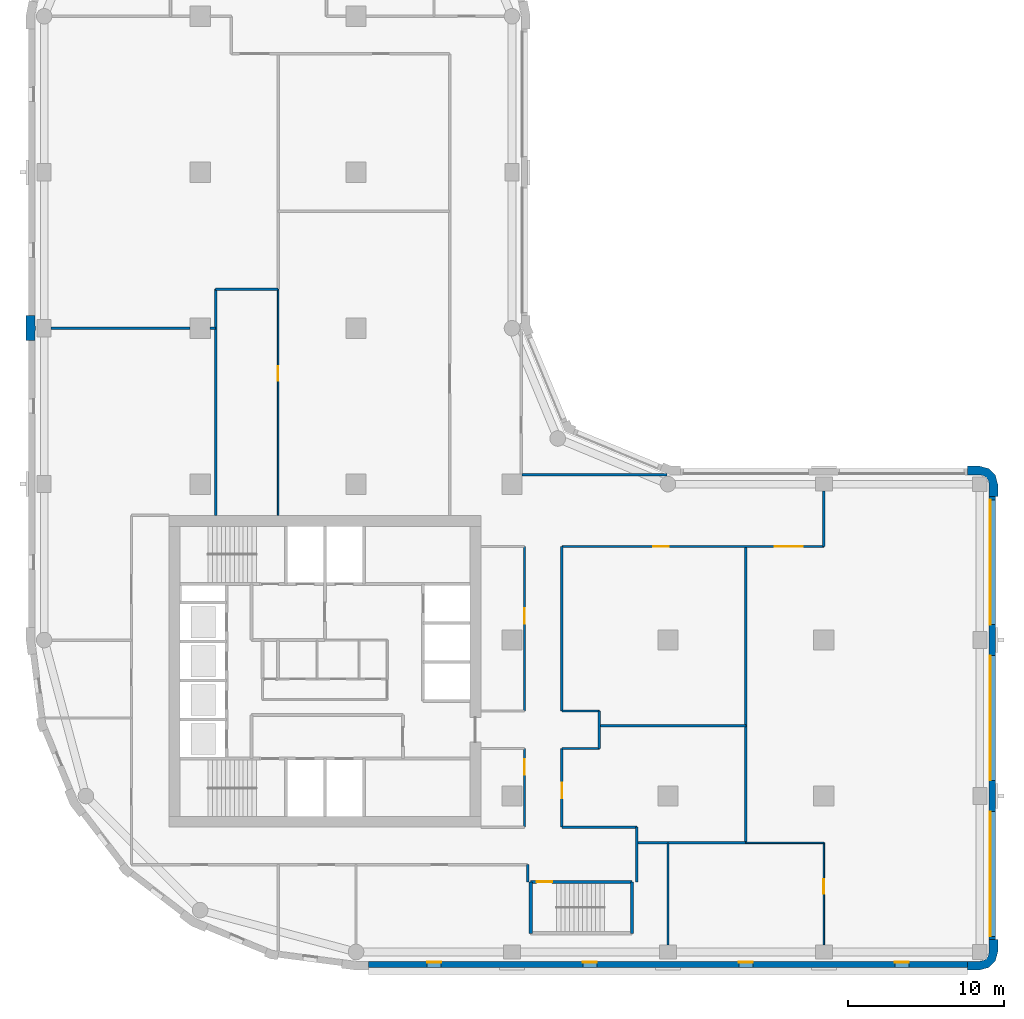
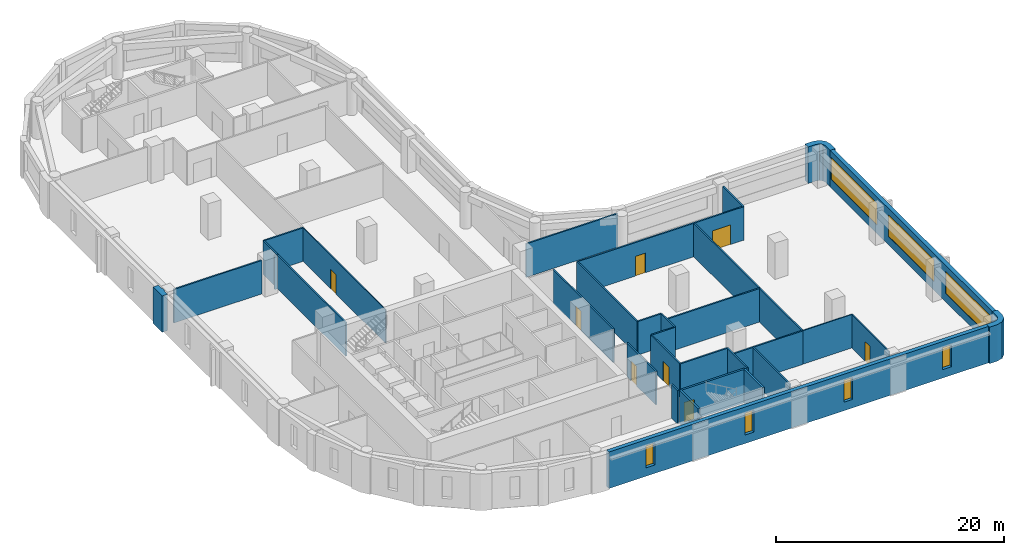
# One storey, part 4 of 9: 32 walls, 8 doors, 7 windows, 15 openings.
"""IFC4 building model written with IfcOpenShell, lengths in metres."""

from ifc_helpers import new_model, si_unit, direction, frame, frame_2d, origin, place, context, subcontext, project, spatial, polyline, rectangle, outline, extrude, material, layer, layer_set, type_object, element, fill, save


model = new_model("IFC4")

# Units and contexts
model_context = context("Model", 3, precision=1e-05, world=origin(), true_north=direction((0.0, 1.0)))
body_context = subcontext(model_context, "Body", "Model", "MODEL_VIEW")
ifc_project = project(units=[si_unit("LENGTHUNIT", "METRE"), si_unit("AREAUNIT", "SQUARE_METRE"), si_unit("VOLUMEUNIT", "CUBIC_METRE"), si_unit("PLANEANGLEUNIT", "RADIAN"), si_unit("MASSUNIT", "GRAM", prefix="KILO")], contexts=[model_context])

# Site, building, storey
site_placement = place(None, origin())
site = spatial("IfcSite", under=ifc_project, at=site_placement, CompositionType="ELEMENT")
building_placement = place(site_placement, origin())
building = spatial("IfcBuilding", under=site, at=building_placement, Name="Qaws Garden Tower", CompositionType="ELEMENT")
storey_placement = place(building_placement, frame((0.0, 0.0, 135.60009765625)))
storey = spatial("IfcBuildingStorey", under=building, at=storey_placement, Name="L32", CompositionType="ELEMENT", Elevation=135.60009765625)

# Walls
ifc_material_1 = material(Name="Clay facing brick masonry", Category="masonry")
ifc_layer_1 = layer(ifc_material_1, 0.550048828125)
ifc_layer_set_1 = layer_set([ifc_layer_1], Name="Clay facing brick masonry")
wall_type_1 = type_object("IfcWallType", Name="Brick corner pier 550 x 2400", PredefinedType="SOLIDWALL", material=ifc_layer_set_1)
placement = place(storey_placement, origin())
element("IfcWall", 1, at=placement, inside=storey, type_object=wall_type_1, Name="E-L32-pier-04", PredefinedType="SOLIDWALL", context=body_context, shape_type="SweptSolid", body=[
    extrude(outline(polyline([(59.199951171875, -1.0), (59.199951171875, -1.14990234375), (60.0, -1.14990234375), (60.574951171875, -0.995849609375), (60.995849609375, -0.574951171875), (61.14990234375, 0.0), (61.14990234375, 0.800048828125), (61.0, 0.800048828125), (60.60009765625, 0.800048828125), (60.60009765625, 0.0), (60.51953125, -0.300048828125), (60.300048828125, -0.51953125), (60.0, -0.60009765625), (59.199951171875, -0.60009765625), (59.199951171875, -1.0)])), origin(), (0.0, 0.0, 1.0), 3.89990234375),
])
element("IfcWall", 2, at=placement, inside=storey, type_object=wall_type_1, Name="E-L32-pier-07", PredefinedType="SOLIDWALL", context=body_context, shape_type="SweptSolid", body=[
    extrude(outline(polyline([(61.0, 29.199951171875), (61.14990234375, 29.199951171875), (61.14990234375, 30.0), (60.995849609375, 30.574951171875), (60.574951171875, 30.995849609375), (60.0, 31.14990234375), (59.199951171875, 31.14990234375), (59.199951171875, 31.0), (59.199951171875, 30.60009765625), (60.0, 30.60009765625), (60.300048828125, 30.51953125), (60.51953125, 30.300048828125), (60.60009765625, 30.0), (60.60009765625, 29.199951171875), (61.0, 29.199951171875)])), origin(), (0.0, 0.0, 1.0), 3.89990234375),
])

# Wall, openings, windows
ifc_material_2 = material(Name="Clay facing brick masonry", Category="masonry")
ifc_layer_2 = layer(ifc_material_2, 0.39990234375)
ifc_layer_set_2 = layer_set([ifc_layer_2], Name="Clay facing brick masonry")
wall_type_2 = type_object("IfcWallType", Name="Brick infill wall 400", PredefinedType="SOLIDWALL", material=ifc_layer_set_2)
wall_3_placement = place(storey_placement, frame((20.800048828125, -0.800048828125, 0.0), z_axis=(0.0, 0.0, 1.0), x_axis=(1.0, 0.0, 0.0)))
wall_3 = element("IfcWall", 3, at=wall_3_placement, inside=storey, type_object=wall_type_2, Name="E-L32-infill-00", PredefinedType="SOLIDWALL", context=body_context, shape_type="SweptSolid", body=[
    extrude(rectangle(XDim=38.39990234375, YDim=0.39990234375, at=frame_2d((19.199951171875, 0.0))), origin(), (0.0, 0.0, 1.0), 3.89990234375),
])
opening_1_placement = place(wall_3_placement, frame((3.75, 0.0, 0.89990234375)))
opening_1 = element("IfcOpeningElement", 4, at=opening_1_placement, cuts=wall_3, Name="Opening W09", PredefinedType="OPENING", context=body_context, shape_type="SweptSolid", body=[
    extrude(rectangle(XDim=0.89990234375, YDim=2.35009765625, at=frame_2d((0.449951171875, 1.175048828125))), frame((0.0, 0.2099609375, 0.0), z_axis=(0.0, -1.0, 0.0), x_axis=(1.0, 0.0, 0.0)), (0.0, 0.0, 1.0), 0.419921875),
])
opening_2_placement = place(wall_3_placement, frame((13.75, 0.0, 0.89990234375)))
opening_2 = element("IfcOpeningElement", 5, at=opening_2_placement, cuts=wall_3, Name="Opening W09", PredefinedType="OPENING", context=body_context, shape_type="SweptSolid", body=[
    extrude(rectangle(XDim=0.89990234375, YDim=2.35009765625, at=frame_2d((0.449951171875, 1.175048828125))), frame((0.0, 0.2099609375, 0.0), z_axis=(0.0, -1.0, 0.0), x_axis=(1.0, 0.0, 0.0)), (0.0, 0.0, 1.0), 0.419921875),
])
opening_3_placement = place(wall_3_placement, frame((23.75, 0.0, 0.89990234375)))
opening_3 = element("IfcOpeningElement", 6, at=opening_3_placement, cuts=wall_3, Name="Opening W09", PredefinedType="OPENING", context=body_context, shape_type="SweptSolid", body=[
    extrude(rectangle(XDim=0.89990234375, YDim=2.35009765625, at=frame_2d((0.449951171875, 1.175048828125))), frame((0.0, 0.2099609375, 0.0), z_axis=(0.0, -1.0, 0.0), x_axis=(1.0, 0.0, 0.0)), (0.0, 0.0, 1.0), 0.419921875),
])
opening_4_placement = place(wall_3_placement, frame((33.75, 0.0, 0.89990234375)))
opening_4 = element("IfcOpeningElement", 7, at=opening_4_placement, cuts=wall_3, Name="Opening W09", PredefinedType="OPENING", context=body_context, shape_type="SweptSolid", body=[
    extrude(rectangle(XDim=0.89990234375, YDim=2.35009765625, at=frame_2d((0.449951171875, 1.175048828125))), frame((0.0, 0.2099609375, 0.0), z_axis=(0.0, -1.0, 0.0), x_axis=(1.0, 0.0, 0.0)), (0.0, 0.0, 1.0), 0.419921875),
])
ifc_material_3 = material(Name="Aluminium framed window, clear glazing", Category="aluminium")
window_type_1 = type_object("IfcWindowType", Name="Slit window 900 x 2350", PartitioningType="SINGLE_PANEL", PredefinedType="WINDOW", material=ifc_material_3)
window_1_placement = place(opening_1_placement, origin())
window_1 = element("IfcWindow", 8, at=window_1_placement, inside=storey, type_object=window_type_1, Name="E-L32-window-00-0", OverallHeight=2.35009765625, OverallWidth=0.89990234375, PartitioningType="SINGLE_PANEL", PredefinedType="WINDOW", context=body_context, shape_type="SweptSolid", body=[
    extrude(rectangle(XDim=0.89990234375, YDim=2.35009765625, at=frame_2d((0.449951171875, 1.175048828125))), frame((0.0, 0.159912109375, 0.0), z_axis=(0.0, -1.0, 0.0), x_axis=(1.0, 0.0, 0.0)), (0.0, 0.0, 1.0), 0.06005859375),
])
fill(opening_1, window_1)
window_2_placement = place(opening_2_placement, origin())
window_2 = element("IfcWindow", 9, at=window_2_placement, inside=storey, type_object=window_type_1, Name="E-L32-window-01-0", OverallHeight=2.35009765625, OverallWidth=0.89990234375, PartitioningType="SINGLE_PANEL", PredefinedType="WINDOW", context=body_context, shape_type="SweptSolid", body=[
    extrude(rectangle(XDim=0.89990234375, YDim=2.35009765625, at=frame_2d((0.449951171875, 1.175048828125))), frame((0.0, 0.159912109375, 0.0), z_axis=(0.0, -1.0, 0.0), x_axis=(1.0, 0.0, 0.0)), (0.0, 0.0, 1.0), 0.06005859375),
])
fill(opening_2, window_2)
window_3_placement = place(opening_3_placement, origin())
window_3 = element("IfcWindow", 10, at=window_3_placement, inside=storey, type_object=window_type_1, Name="E-L32-window-02-0", OverallHeight=2.35009765625, OverallWidth=0.89990234375, PartitioningType="SINGLE_PANEL", PredefinedType="WINDOW", context=body_context, shape_type="SweptSolid", body=[
    extrude(rectangle(XDim=0.89990234375, YDim=2.35009765625, at=frame_2d((0.449951171875, 1.175048828125))), frame((0.0, 0.159912109375, 0.0), z_axis=(0.0, -1.0, 0.0), x_axis=(1.0, 0.0, 0.0)), (0.0, 0.0, 1.0), 0.06005859375),
])
fill(opening_3, window_3)
window_4_placement = place(opening_4_placement, origin())
window_4 = element("IfcWindow", 11, at=window_4_placement, inside=storey, type_object=window_type_1, Name="E-L32-window-03-0", OverallHeight=2.35009765625, OverallWidth=0.89990234375, PartitioningType="SINGLE_PANEL", PredefinedType="WINDOW", context=body_context, shape_type="SweptSolid", body=[
    extrude(rectangle(XDim=0.89990234375, YDim=2.35009765625, at=frame_2d((0.449951171875, 1.175048828125))), frame((0.0, 0.159912109375, 0.0), z_axis=(0.0, -1.0, 0.0), x_axis=(1.0, 0.0, 0.0)), (0.0, 0.0, 1.0), 0.06005859375),
])
fill(opening_4, window_4)

wall_4_placement = place(storey_placement, frame((60.800048828125, 0.800048828125, 0.0), z_axis=(0.0, 0.0, 1.0), x_axis=(0.0, 1.0, 0.0)))
wall_4 = element("IfcWall", 12, at=wall_4_placement, inside=storey, type_object=wall_type_2, Name="E-L32-infill-04", PredefinedType="SOLIDWALL", context=body_context, shape_type="SweptSolid", body=[
    extrude(rectangle(XDim=28.39990234375, YDim=0.39990234375, at=frame_2d((14.199951171875, 0.0))), origin(), (0.0, 0.0, 1.0), 3.89990234375),
])
opening_5_placement = place(wall_4_placement, frame((0.199951171875, 0.0, 0.89990234375)))
opening_5 = element("IfcOpeningElement", 13, at=opening_5_placement, cuts=wall_4, Name="Opening W01", PredefinedType="OPENING", context=body_context, shape_type="SweptSolid", body=[
    extrude(rectangle(XDim=8.0, YDim=2.35009765625, at=frame_2d((4.0, 1.175048828125))), frame((0.0, 0.2099609375, 0.0), z_axis=(0.0, -1.0, 0.0), x_axis=(1.0, 0.0, 0.0)), (0.0, 0.0, 1.0), 0.419921875),
])
opening_6_placement = place(wall_4_placement, frame((10.199951171875, 0.0, 0.89990234375)))
opening_6 = element("IfcOpeningElement", 14, at=opening_6_placement, cuts=wall_4, Name="Opening W01", PredefinedType="OPENING", context=body_context, shape_type="SweptSolid", body=[
    extrude(rectangle(XDim=8.0, YDim=2.35009765625, at=frame_2d((4.0, 1.175048828125))), frame((0.0, 0.2099609375, 0.0), z_axis=(0.0, -1.0, 0.0), x_axis=(1.0, 0.0, 0.0)), (0.0, 0.0, 1.0), 0.419921875),
])
opening_7_placement = place(wall_4_placement, frame((20.199951171875, 0.0, 0.89990234375)))
opening_7 = element("IfcOpeningElement", 15, at=opening_7_placement, cuts=wall_4, Name="Opening W01", PredefinedType="OPENING", context=body_context, shape_type="SweptSolid", body=[
    extrude(rectangle(XDim=8.0, YDim=2.35009765625, at=frame_2d((4.0, 1.175048828125))), frame((0.0, 0.2099609375, 0.0), z_axis=(0.0, -1.0, 0.0), x_axis=(1.0, 0.0, 0.0)), (0.0, 0.0, 1.0), 0.419921875),
])
ifc_material_4 = material(Name="Aluminium framed window, clear glazing", Category="aluminium")
window_type_2 = type_object("IfcWindowType", Name="Ribbon window 8000 x 2350", PartitioningType="DOUBLE_PANEL_VERTICAL", PredefinedType="WINDOW", material=ifc_material_4)
window_5_placement = place(opening_5_placement, origin())
window_5 = element("IfcWindow", 16, at=window_5_placement, inside=storey, type_object=window_type_2, Name="E-L32-window-04-0", OverallHeight=2.35009765625, OverallWidth=8.0, PartitioningType="SINGLE_PANEL", PredefinedType="WINDOW", context=body_context, shape_type="SweptSolid", body=[
    extrude(rectangle(XDim=8.0, YDim=2.35009765625, at=frame_2d((4.0, 1.175048828125))), frame((0.0, 0.159912109375, 0.0), z_axis=(0.0, -1.0, 0.0), x_axis=(1.0, 0.0, 0.0)), (0.0, 0.0, 1.0), 0.06005859375),
])
fill(opening_5, window_5)
window_6_placement = place(opening_6_placement, origin())
window_6 = element("IfcWindow", 17, at=window_6_placement, inside=storey, type_object=window_type_2, Name="E-L32-window-05-0", OverallHeight=2.35009765625, OverallWidth=8.0, PartitioningType="SINGLE_PANEL", PredefinedType="WINDOW", context=body_context, shape_type="SweptSolid", body=[
    extrude(rectangle(XDim=8.0, YDim=2.35009765625, at=frame_2d((4.0, 1.175048828125))), frame((0.0, 0.159912109375, 0.0), z_axis=(0.0, -1.0, 0.0), x_axis=(1.0, 0.0, 0.0)), (0.0, 0.0, 1.0), 0.06005859375),
])
fill(opening_6, window_6)
window_7_placement = place(opening_7_placement, origin())
window_7 = element("IfcWindow", 18, at=window_7_placement, inside=storey, type_object=window_type_2, Name="E-L32-window-06-0", OverallHeight=2.35009765625, OverallWidth=8.0, PartitioningType="SINGLE_PANEL", PredefinedType="WINDOW", context=body_context, shape_type="SweptSolid", body=[
    extrude(rectangle(XDim=8.0, YDim=2.35009765625, at=frame_2d((4.0, 1.175048828125))), frame((0.0, 0.159912109375, 0.0), z_axis=(0.0, -1.0, 0.0), x_axis=(1.0, 0.0, 0.0)), (0.0, 0.0, 1.0), 0.06005859375),
])
fill(opening_7, window_7)

# Wall
ifc_material_5 = material(Name="Clay facing brick masonry", Category="masonry")
ifc_layer_3 = layer(ifc_material_5, 0.550048828125)
ifc_layer_set_3 = layer_set([ifc_layer_3], Name="Clay facing brick masonry")
wall_type_3 = type_object("IfcWallType", Name="Brick pier 550 x 1600", PredefinedType="SOLIDWALL", material=ifc_layer_set_3)
element("IfcWall", 19, at=placement, inside=storey, type_object=wall_type_3, Name="E-L32-pier-23", PredefinedType="SOLIDWALL", context=body_context, shape_type="SweptSolid", body=[
    extrude(outline(polyline([(-0.60009765625, 39.199951171875), (-0.60009765625, 39.85009765625), (-0.550048828125, 39.85009765625), (-0.550048828125, 40.14990234375), (-0.60009765625, 40.14990234375), (-0.60009765625, 40.800048828125), (-1.0, 40.800048828125), (-1.14990234375, 40.800048828125), (-1.14990234375, 40.0), (-1.14990234375, 39.199951171875), (-1.0, 39.199951171875), (-0.60009765625, 39.199951171875)])), origin(), (0.0, 0.0, 1.0), 3.89990234375),
])

# Wall, opening, door
ifc_material_6 = material(Name="Concrete C70", Category="concrete")
ifc_layer_4 = layer(ifc_material_6, 0.199951171875)
ifc_layer_set_4 = layer_set([ifc_layer_4], Name="Concrete C70")
wall_type_4 = type_object("IfcWallType", Name="Core shaft wall 200 C70", PredefinedType="SHEAR", material=ifc_layer_set_4)
wall_6_placement = place(storey_placement, frame((31.199951171875, 4.5, 0.0), z_axis=(0.0, 0.0, 1.0), x_axis=(1.0, 0.0, 0.0)))
wall_6 = element("IfcWall", 20, at=wall_6_placement, inside=storey, type_object=wall_type_4, Name="Shaft wall", PredefinedType="SHEAR", context=body_context, shape_type="SweptSolid", body=[
    extrude(rectangle(XDim=6.5, YDim=0.199951171875, at=frame_2d((3.25, 0.0))), origin(), (0.0, 0.0, 1.0), 3.579833984375),
])
opening_8_placement = place(wall_6_placement, frame((0.375, 0.0, 0.0)))
opening_8 = element("IfcOpeningElement", 21, at=opening_8_placement, cuts=wall_6, Name="Opening SD12", PredefinedType="OPENING", context=body_context, shape_type="SweptSolid", body=[
    extrude(rectangle(XDim=1.0, YDim=2.10009765625, at=frame_2d((0.5, 1.050048828125))), frame((0.0, 0.10986328125, 0.0), z_axis=(0.0, -1.0, 0.0), x_axis=(1.0, 0.0, 0.0)), (0.0, 0.0, 1.0), 0.219970703125),
])
ifc_material_7 = material(Name="Steel S235", Category="steel")
door_type_1 = type_object("IfcDoorType", Name="Stair door 1000x2100", OperationType="SINGLE_SWING_RIGHT", PredefinedType="DOOR", material=ifc_material_7)
door_1_placement = place(opening_8_placement, frame((1.0, 0.0, 0.0), z_axis=(0.0, 0.0, 1.0), x_axis=(-1.0, 0.0, 0.0)))
door_1 = element("IfcDoor", 22, at=door_1_placement, inside=storey, type_object=door_type_1, Name="Stair 5 door", OperationType="SINGLE_SWING_RIGHT", OverallHeight=2.10009765625, OverallWidth=1.0, PredefinedType="DOOR", context=body_context, shape_type="SweptSolid", body=[
    extrude(rectangle(XDim=1.0, YDim=2.10009765625, at=frame_2d((0.5, 1.050048828125))), frame((0.0, 0.02490234375, 0.0), z_axis=(0.0, -1.0, 0.0), x_axis=(1.0, 0.0, 0.0)), (0.0, 0.0, 1.0), 0.050048828125),
])
fill(opening_8, door_1)

# Walls
for number, where, z_axis, x_axis, name in (
    (23, (31.199951171875, 1.199951171875, 0.0), (0.0, 0.0, 1.0), (0.0, 1.0, 0.0), "Shaft wall"),
    (24, (37.699951171875, 1.199951171875, 0.0), (0.0, 0.0, 1.0), (0.0, 1.0, 0.0), "Shaft wall"),
):
    element("IfcWall", number, at=place(storey_placement, frame(where, z_axis=z_axis, x_axis=x_axis)), inside=storey, type_object=wall_type_4, Name=name, PredefinedType="SHEAR", context=body_context, shape_type="SweptSolid", body=[
        extrude(rectangle(XDim=3.300048828125, YDim=0.199951171875, at=frame_2d((1.64990234375, 0.0))), origin(), (0.0, 0.0, 1.0), 3.579833984375),
    ])

# Wall, opening, door
ifc_material_8 = material(Name="Gypsum board partition")
ifc_layer_5 = layer(ifc_material_8, 0.10009765625)
ifc_layer_set_5 = layer_set([ifc_layer_5], Name="Gypsum board partition")
wall_type_5 = type_object("IfcWallType", Name="PARTITION 100", PredefinedType="PARTITIONING", material=ifc_layer_set_5)
wall_7_placement = place(storey_placement, frame((15.0, 28.0, 0.0), z_axis=(0.0, 0.0, 1.0), x_axis=(0.0, 1.0, 0.0)))
wall_7 = element("IfcWall", 25, at=wall_7_placement, inside=storey, type_object=wall_type_5, Name="O-L32-wall-001", PredefinedType="PARTITIONING", context=body_context, shape_type="SweptSolid", body=[
    extrude(rectangle(XDim=14.5, YDim=0.10009765625, at=frame_2d((7.25, 0.0))), origin(), (0.0, 0.0, 1.0), 3.579833984375),
])
opening_9_placement = place(wall_7_placement, frame((8.625, 0.0, 0.0)))
opening_9 = element("IfcOpeningElement", 26, at=opening_9_placement, cuts=wall_7, Name="Opening B120", PredefinedType="OPENING", context=body_context, shape_type="SweptSolid", body=[
    extrude(rectangle(XDim=0.949951171875, YDim=2.10009765625, at=frame_2d((0.47509765625, 1.050048828125))), frame((0.0, 0.06005859375, 0.0), z_axis=(0.0, -1.0, 0.0), x_axis=(1.0, 0.0, 0.0)), (0.0, 0.0, 1.0), 0.1201171875),
])
ifc_material_9 = material(Name="Timber and glass door leaf", Category="wood")
door_type_2 = type_object("IfcDoorType", Name="GLAZED DOOR 950 X 2100", OperationType="SINGLE_SWING_LEFT", PredefinedType="DOOR", material=ifc_material_9)
door_2_placement = place(opening_9_placement, origin())
door_2 = element("IfcDoor", 27, at=door_2_placement, inside=storey, type_object=door_type_2, Name="O-L32-door-020", OperationType="SINGLE_SWING_LEFT", OverallHeight=2.10009765625, OverallWidth=0.949951171875, PredefinedType="DOOR", context=body_context, shape_type="SweptSolid", body=[
    extrude(rectangle(XDim=0.949951171875, YDim=2.10009765625, at=frame_2d((0.47509765625, 1.050048828125))), frame((0.0, 0.02490234375, 0.0), z_axis=(0.0, -1.0, 0.0), x_axis=(1.0, 0.0, 0.0)), (0.0, 0.0, 1.0), 0.050048828125),
])
fill(opening_9, door_2)

wall_8_placement = place(storey_placement, frame((50.0, 0.449951171875, 0.0), z_axis=(0.0, 0.0, 1.0), x_axis=(0.0, 1.0, 0.0)))
wall_8 = element("IfcWall", 28, at=wall_8_placement, inside=storey, type_object=wall_type_5, Name="O-L32-wall-002", PredefinedType="PARTITIONING", context=body_context, shape_type="SweptSolid", body=[
    extrude(rectangle(XDim=6.550048828125, YDim=0.10009765625, at=frame_2d((3.27490234375, 0.0))), origin(), (0.0, 0.0, 1.0), 3.579833984375),
])
opening_10_placement = place(wall_8_placement, frame((3.27490234375, 0.0, 0.0)))
opening_10 = element("IfcOpeningElement", 29, at=opening_10_placement, cuts=wall_8, Name="Opening B119", PredefinedType="OPENING", context=body_context, shape_type="SweptSolid", body=[
    extrude(rectangle(XDim=0.949951171875, YDim=2.10009765625, at=frame_2d((0.47509765625, 1.050048828125))), frame((0.0, 0.06005859375, 0.0), z_axis=(0.0, -1.0, 0.0), x_axis=(1.0, 0.0, 0.0)), (0.0, 0.0, 1.0), 0.1201171875),
])
door_3_placement = place(opening_10_placement, origin())
door_3 = element("IfcDoor", 30, at=door_3_placement, inside=storey, type_object=door_type_2, Name="O-L32-door-019", OperationType="SINGLE_SWING_RIGHT", OverallHeight=2.10009765625, OverallWidth=0.949951171875, PredefinedType="DOOR", context=body_context, shape_type="SweptSolid", body=[
    extrude(rectangle(XDim=0.949951171875, YDim=2.10009765625, at=frame_2d((0.47509765625, 1.050048828125))), frame((0.0, 0.02490234375, 0.0), z_axis=(0.0, -1.0, 0.0), x_axis=(1.0, 0.0, 0.0)), (0.0, 0.0, 1.0), 0.050048828125),
])
fill(opening_10, door_3)

# Walls
wall_9_placement = place(storey_placement, frame((45.0, 7.0, 0.0), z_axis=(0.0, 0.0, 1.0), x_axis=(1.0, 0.0, 0.0)))
element("IfcWall", 31, at=wall_9_placement, inside=storey, type_object=wall_type_5, Name="O-L32-wall-003", PredefinedType="PARTITIONING", context=body_context, shape_type="SweptSolid", body=[
    extrude(rectangle(XDim=5.0, YDim=0.10009765625, at=frame_2d((2.5, 0.0))), origin(), (0.0, 0.0, 1.0), 3.579833984375),
])
ifc_material_10 = material(Name="Gypsum board partition")
ifc_layer_6 = layer(ifc_material_10, 0.14990234375)
ifc_layer_set_6 = layer_set([ifc_layer_6], Name="Gypsum board partition")
wall_type_6 = type_object("IfcWallType", Name="PARTITION 150 EI 60", PredefinedType="PARTITIONING", material=ifc_layer_set_6)
wall_10_placement = place(storey_placement, frame((11.0, 28.0, 0.0), z_axis=(0.0, 0.0, 1.0), x_axis=(0.0, 1.0, 0.0)))
element("IfcWall", 32, at=wall_10_placement, inside=storey, type_object=wall_type_6, Name="O-L32-wall-006", PredefinedType="PARTITIONING", context=body_context, shape_type="SweptSolid", body=[
    extrude(rectangle(XDim=14.5, YDim=0.14990234375, at=frame_2d((7.25, 0.0))), origin(), (0.0, 0.0, 1.0), 3.579833984375),
])

# Wall, opening, door
wall_11_placement = place(storey_placement, frame((30.800048828125, 8.0, 0.0), z_axis=(0.0, 0.0, 1.0), x_axis=(0.0, 1.0, 0.0)))
wall_11 = element("IfcWall", 33, at=wall_11_placement, inside=storey, type_object=wall_type_6, Name="O-L32-wall-015", PredefinedType="PARTITIONING", context=body_context, shape_type="SweptSolid", body=[
    extrude(rectangle(XDim=5.050048828125, YDim=0.14990234375, at=frame_2d((2.52490234375, 0.0))), origin(), (0.0, 0.0, 1.0), 3.579833984375),
])
opening_11_placement = place(wall_11_placement, frame((3.35009765625, 0.0, 0.0)))
opening_11 = element("IfcOpeningElement", 34, at=opening_11_placement, cuts=wall_11, Name="Opening B116", PredefinedType="OPENING", context=body_context, shape_type="SweptSolid", body=[
    extrude(rectangle(XDim=1.0, YDim=2.10009765625, at=frame_2d((0.5, 1.050048828125))), frame((0.0, 0.0849609375, 0.0), z_axis=(0.0, -1.0, 0.0), x_axis=(1.0, 0.0, 0.0)), (0.0, 0.0, 1.0), 0.169921875),
])
ifc_material_11 = material(Name="Timber door leaf", Category="wood")
door_type_3 = type_object("IfcDoorType", Name="TENANCY ENTRANCE DOOR 1000 X 2100", OperationType="SINGLE_SWING_LEFT", PredefinedType="DOOR", material=ifc_material_11)
door_4_placement = place(opening_11_placement, origin())
door_4 = element("IfcDoor", 35, at=door_4_placement, inside=storey, type_object=door_type_3, Name="O-L32-door-016", OperationType="SINGLE_SWING_RIGHT", OverallHeight=2.10009765625, OverallWidth=1.0, PredefinedType="DOOR", context=body_context, shape_type="SweptSolid", body=[
    extrude(rectangle(XDim=1.0, YDim=2.10009765625, at=frame_2d((0.5, 1.050048828125))), frame((0.0, 0.02490234375, 0.0), z_axis=(0.0, -1.0, 0.0), x_axis=(1.0, 0.0, 0.0)), (0.0, 0.0, 1.0), 0.050048828125),
])
fill(opening_11, door_4)

wall_12_placement = place(storey_placement, frame((30.800048828125, 15.449951171875, 0.0), z_axis=(0.0, 0.0, 1.0), x_axis=(0.0, 1.0, 0.0)))
wall_12 = element("IfcWall", 36, at=wall_12_placement, inside=storey, type_object=wall_type_6, Name="O-L32-wall-016", PredefinedType="PARTITIONING", context=body_context, shape_type="SweptSolid", body=[
    extrude(rectangle(XDim=10.550048828125, YDim=0.14990234375, at=frame_2d((5.27490234375, 0.0))), origin(), (0.0, 0.0, 1.0), 3.579833984375),
])
opening_12_placement = place(wall_12_placement, frame((5.60009765625, 0.0, 0.0)))
opening_12 = element("IfcOpeningElement", 37, at=opening_12_placement, cuts=wall_12, Name="Opening B115", PredefinedType="OPENING", context=body_context, shape_type="SweptSolid", body=[
    extrude(rectangle(XDim=1.0, YDim=2.10009765625, at=frame_2d((0.5, 1.050048828125))), frame((0.0, 0.0849609375, 0.0), z_axis=(0.0, -1.0, 0.0), x_axis=(1.0, 0.0, 0.0)), (0.0, 0.0, 1.0), 0.169921875),
])
door_5_placement = place(opening_12_placement, origin())
door_5 = element("IfcDoor", 38, at=door_5_placement, inside=storey, type_object=door_type_3, Name="O-L32-door-015", OperationType="SINGLE_SWING_RIGHT", OverallHeight=2.10009765625, OverallWidth=1.0, PredefinedType="DOOR", context=body_context, shape_type="SweptSolid", body=[
    extrude(rectangle(XDim=1.0, YDim=2.10009765625, at=frame_2d((0.5, 1.050048828125))), frame((0.0, 0.02490234375, 0.0), z_axis=(0.0, -1.0, 0.0), x_axis=(1.0, 0.0, 0.0)), (0.0, 0.0, 1.0), 0.050048828125),
])
fill(opening_12, door_5)

# Wall
wall_13_placement = place(storey_placement, frame((31.0, 4.5, 0.0), z_axis=(0.0, 0.0, 1.0), x_axis=(0.0, 1.0, 0.0)))
element("IfcWall", 39, at=wall_13_placement, inside=storey, type_object=wall_type_6, Name="O-L32-wall-017", PredefinedType="PARTITIONING", context=body_context, shape_type="SweptSolid", body=[
    extrude(rectangle(XDim=1.10009765625, YDim=0.14990234375, at=frame_2d((0.550048828125, 0.0))), origin(), (0.0, 0.0, 1.0), 3.579833984375),
])

# Wall, opening, door
wall_14_placement = place(storey_placement, frame((33.199951171875, 8.0, 0.0), z_axis=(0.0, 0.0, 1.0), x_axis=(0.0, 1.0, 0.0)))
wall_14 = element("IfcWall", 40, at=wall_14_placement, inside=storey, type_object=wall_type_6, Name="O-L32-wall-018", PredefinedType="PARTITIONING", context=body_context, shape_type="SweptSolid", body=[
    extrude(rectangle(XDim=5.050048828125, YDim=0.14990234375, at=frame_2d((2.52490234375, 0.0))), origin(), (0.0, 0.0, 1.0), 3.579833984375),
])
opening_13_placement = place(wall_14_placement, frame((1.85009765625, 0.0, 0.0)))
opening_13 = element("IfcOpeningElement", 41, at=opening_13_placement, cuts=wall_14, Name="Opening B117", PredefinedType="OPENING", context=body_context, shape_type="SweptSolid", body=[
    extrude(rectangle(XDim=1.0, YDim=2.10009765625, at=frame_2d((0.5, 1.050048828125))), frame((0.0, 0.0849609375, 0.0), z_axis=(0.0, -1.0, 0.0), x_axis=(1.0, 0.0, 0.0)), (0.0, 0.0, 1.0), 0.169921875),
])
door_6_placement = place(opening_13_placement, frame((1.0, 0.0, 0.0), z_axis=(0.0, 0.0, 1.0), x_axis=(-1.0, 0.0, 0.0)))
door_6 = element("IfcDoor", 42, at=door_6_placement, inside=storey, type_object=door_type_3, Name="O-L32-door-017", OperationType="SINGLE_SWING_LEFT", OverallHeight=2.10009765625, OverallWidth=1.0, PredefinedType="DOOR", context=body_context, shape_type="SweptSolid", body=[
    extrude(rectangle(XDim=1.0, YDim=2.10009765625, at=frame_2d((0.5, 1.050048828125))), frame((0.0, 0.02490234375, 0.0), z_axis=(0.0, -1.0, 0.0), x_axis=(1.0, 0.0, 0.0)), (0.0, 0.0, 1.0), 0.050048828125),
])
fill(opening_13, door_6)

# Walls
wall_15_placement = place(storey_placement, frame((33.199951171875, 15.449951171875, 0.0), z_axis=(0.0, 0.0, 1.0), x_axis=(0.0, 1.0, 0.0)))
element("IfcWall", 43, at=wall_15_placement, inside=storey, type_object=wall_type_6, Name="O-L32-wall-019", PredefinedType="PARTITIONING", context=body_context, shape_type="SweptSolid", body=[
    extrude(rectangle(XDim=10.550048828125, YDim=0.14990234375, at=frame_2d((5.27490234375, 0.0))), origin(), (0.0, 0.0, 1.0), 3.579833984375),
])
wall_16_placement = place(storey_placement, frame((35.60009765625, 13.050048828125, 0.0), z_axis=(0.0, 0.0, 1.0), x_axis=(0.0, 1.0, 0.0)))
element("IfcWall", 44, at=wall_16_placement, inside=storey, type_object=wall_type_6, Name="O-L32-wall-020", PredefinedType="PARTITIONING", context=body_context, shape_type="SweptSolid", body=[
    extrude(rectangle(XDim=2.39990234375, YDim=0.14990234375, at=frame_2d((1.199951171875, 0.0))), origin(), (0.0, 0.0, 1.0), 3.579833984375),
])
wall_17_placement = place(storey_placement, frame((38.0, 4.5, 0.0), z_axis=(0.0, 0.0, 1.0), x_axis=(0.0, 1.0, 0.0)))
element("IfcWall", 45, at=wall_17_placement, inside=storey, type_object=wall_type_6, Name="O-L32-wall-021", PredefinedType="PARTITIONING", context=body_context, shape_type="SweptSolid", body=[
    extrude(rectangle(XDim=3.5, YDim=0.14990234375, at=frame_2d((1.75, 0.0))), origin(), (0.0, 0.0, 1.0), 3.579833984375),
])
wall_18_placement = place(storey_placement, frame((40.0, 0.449951171875, 0.0), z_axis=(0.0, 0.0, 1.0), x_axis=(0.0, 1.0, 0.0)))
element("IfcWall", 46, at=wall_18_placement, inside=storey, type_object=wall_type_6, Name="O-L32-wall-022", PredefinedType="PARTITIONING", context=body_context, shape_type="SweptSolid", body=[
    extrude(rectangle(XDim=6.550048828125, YDim=0.14990234375, at=frame_2d((3.27490234375, 0.0))), origin(), (0.0, 0.0, 1.0), 3.579833984375),
])
wall_19_placement = place(storey_placement, frame((45.0, 7.0, 0.0), z_axis=(0.0, 0.0, 1.0), x_axis=(0.0, 1.0, 0.0)))
element("IfcWall", 47, at=wall_19_placement, inside=storey, type_object=wall_type_6, Name="O-L32-wall-023", PredefinedType="PARTITIONING", context=body_context, shape_type="SweptSolid", body=[
    extrude(rectangle(XDim=19.0, YDim=0.14990234375, at=frame_2d((9.5, 0.0))), origin(), (0.0, 0.0, 1.0), 3.579833984375),
])
wall_20_placement = place(storey_placement, frame((50.0, 26.0, 0.0), z_axis=(0.0, 0.0, 1.0), x_axis=(0.0, 1.0, 0.0)))
element("IfcWall", 48, at=wall_20_placement, inside=storey, type_object=wall_type_6, Name="O-L32-wall-024", PredefinedType="PARTITIONING", context=body_context, shape_type="SweptSolid", body=[
    extrude(rectangle(XDim=3.550048828125, YDim=0.14990234375, at=frame_2d((1.77490234375, 0.0))), origin(), (0.0, 0.0, 1.0), 3.579833984375),
])
wall_21_placement = place(storey_placement, frame((38.0, 7.0, 0.0), z_axis=(0.0, 0.0, 1.0), x_axis=(1.0, 0.0, 0.0)))
element("IfcWall", 49, at=wall_21_placement, inside=storey, type_object=wall_type_6, Name="O-L32-wall-026", PredefinedType="PARTITIONING", context=body_context, shape_type="SweptSolid", body=[
    extrude(rectangle(XDim=7.0, YDim=0.14990234375, at=frame_2d((3.5, 0.0))), origin(), (0.0, 0.0, 1.0), 3.579833984375),
])
wall_22_placement = place(storey_placement, frame((33.199951171875, 8.0, 0.0), z_axis=(0.0, 0.0, 1.0), x_axis=(1.0, 0.0, 0.0)))
element("IfcWall", 50, at=wall_22_placement, inside=storey, type_object=wall_type_6, Name="O-L32-wall-028", PredefinedType="PARTITIONING", context=body_context, shape_type="SweptSolid", body=[
    extrude(rectangle(XDim=4.800048828125, YDim=0.14990234375, at=frame_2d((2.39990234375, 0.0))), origin(), (0.0, 0.0, 1.0), 3.579833984375),
])
wall_23_placement = place(storey_placement, frame((33.199951171875, 13.050048828125, 0.0), z_axis=(0.0, 0.0, 1.0), x_axis=(1.0, 0.0, 0.0)))
element("IfcWall", 51, at=wall_23_placement, inside=storey, type_object=wall_type_6, Name="O-L32-wall-030", PredefinedType="PARTITIONING", context=body_context, shape_type="SweptSolid", body=[
    extrude(rectangle(XDim=2.400146484375, YDim=0.14990234375, at=frame_2d((1.2001953125, 0.0))), origin(), (0.0, 0.0, 1.0), 3.579833984375),
])
wall_24_placement = place(storey_placement, frame((35.60009765625, 14.5, 0.0), z_axis=(0.0, 0.0, 1.0), x_axis=(1.0, 0.0, 0.0)))
element("IfcWall", 52, at=wall_24_placement, inside=storey, type_object=wall_type_6, Name="O-L32-wall-031", PredefinedType="PARTITIONING", context=body_context, shape_type="SweptSolid", body=[
    extrude(rectangle(XDim=9.39990234375, YDim=0.14990234375, at=frame_2d((4.699951171875, 0.0))), origin(), (0.0, 0.0, 1.0), 3.579833984375),
])
wall_25_placement = place(storey_placement, frame((33.199951171875, 15.449951171875, 0.0), z_axis=(0.0, 0.0, 1.0), x_axis=(1.0, 0.0, 0.0)))
element("IfcWall", 53, at=wall_25_placement, inside=storey, type_object=wall_type_6, Name="O-L32-wall-034", PredefinedType="PARTITIONING", context=body_context, shape_type="SweptSolid", body=[
    extrude(rectangle(XDim=2.400146484375, YDim=0.14990234375, at=frame_2d((1.2001953125, 0.0))), origin(), (0.0, 0.0, 1.0), 3.579833984375),
])

# Wall, openings, doors
wall_26_placement = place(storey_placement, frame((33.199951171875, 26.0, 0.0), z_axis=(0.0, 0.0, 1.0), x_axis=(1.0, 0.0, 0.0)))
wall_26 = element("IfcWall", 54, at=wall_26_placement, inside=storey, type_object=wall_type_6, Name="O-L32-wall-037", PredefinedType="PARTITIONING", context=body_context, shape_type="SweptSolid", body=[
    extrude(rectangle(XDim=16.800048828125, YDim=0.14990234375, at=frame_2d((8.39990234375, 0.0))), origin(), (0.0, 0.0, 1.0), 3.579833984375),
])
opening_14_placement = place(wall_26_placement, frame((5.85009765625, 0.0, 0.0)))
opening_14 = element("IfcOpeningElement", 55, at=opening_14_placement, cuts=wall_26, Name="Opening B114", PredefinedType="OPENING", context=body_context, shape_type="SweptSolid", body=[
    extrude(rectangle(XDim=1.0, YDim=2.10009765625, at=frame_2d((0.5, 1.050048828125))), frame((0.0, 0.0849609375, 0.0), z_axis=(0.0, -1.0, 0.0), x_axis=(1.0, 0.0, 0.0)), (0.0, 0.0, 1.0), 0.169921875),
])
opening_15_placement = place(wall_26_placement, frame((13.64990234375, 0.0, 0.0)))
opening_15 = element("IfcOpeningElement", 56, at=opening_15_placement, cuts=wall_26, Name="Opening B118", PredefinedType="OPENING", context=body_context, shape_type="SweptSolid", body=[
    extrude(rectangle(XDim=1.800048828125, YDim=2.10009765625, at=frame_2d((0.89990234375, 1.050048828125))), frame((0.0, 0.0849609375, 0.0), z_axis=(0.0, -1.0, 0.0), x_axis=(1.0, 0.0, 0.0)), (0.0, 0.0, 1.0), 0.169921875),
])
ifc_material_12 = material(Name="Timber door leaf", Category="wood")
door_type_4 = type_object("IfcDoorType", Name="DOUBLE DOOR 1800 X 2100", OperationType="DOUBLE_DOOR_SINGLE_SWING", PredefinedType="DOOR", material=ifc_material_12)
door_7_placement = place(opening_15_placement, frame((1.800048828125, 0.0, 0.0), z_axis=(0.0, 0.0, 1.0), x_axis=(-1.0, 0.0, 0.0)))
door_7 = element("IfcDoor", 57, at=door_7_placement, inside=storey, type_object=door_type_4, Name="O-L32-door-018", OperationType="DOUBLE_DOOR_SINGLE_SWING", OverallHeight=2.10009765625, OverallWidth=1.800048828125, PredefinedType="DOOR", context=body_context, shape_type="SweptSolid", body=[
    extrude(rectangle(XDim=1.800048828125, YDim=2.10009765625, at=frame_2d((0.89990234375, 1.050048828125))), frame((0.0, 0.02490234375, 0.0), z_axis=(0.0, -1.0, 0.0), x_axis=(1.0, 0.0, 0.0)), (0.0, 0.0, 1.0), 0.050048828125),
])
fill(opening_15, door_7)
door_8_placement = place(opening_14_placement, frame((1.0, 0.0, 0.0), z_axis=(0.0, 0.0, 1.0), x_axis=(-1.0, 0.0, 0.0)))
door_8 = element("IfcDoor", 58, at=door_8_placement, inside=storey, type_object=door_type_3, Name="O-L32-door-014", OperationType="SINGLE_SWING_RIGHT", OverallHeight=2.10009765625, OverallWidth=1.0, PredefinedType="DOOR", context=body_context, shape_type="SweptSolid", body=[
    extrude(rectangle(XDim=1.0, YDim=2.10009765625, at=frame_2d((0.5, 1.050048828125))), frame((0.0, 0.02490234375, 0.0), z_axis=(0.0, -1.0, 0.0), x_axis=(1.0, 0.0, 0.0)), (0.0, 0.0, 1.0), 0.050048828125),
])
fill(opening_14, door_8)

# Walls
wall_27_placement = place(storey_placement, frame((30.64990234375, 30.60009765625, 0.0), z_axis=(0.0, 0.0, 1.0), x_axis=(1.0, 0.0, 0.0)))
element("IfcWall", 59, at=wall_27_placement, inside=storey, type_object=wall_type_6, Name="O-L32-wall-039", PredefinedType="PARTITIONING", context=body_context, shape_type="SweptSolid", body=[
    extrude(rectangle(XDim=9.288330078125, YDim=0.14990234375, at=frame_2d((4.64404296875, 0.0))), origin(), (0.0, 0.0, 1.0), 3.579833984375),
])
wall_28_placement = place(storey_placement, frame((0.449951171875, 40.0, 0.0), z_axis=(0.0, 0.0, 1.0), x_axis=(1.0, 0.0, 0.0)))
element("IfcWall", 60, at=wall_28_placement, inside=storey, type_object=wall_type_6, Name="O-L32-wall-040", PredefinedType="PARTITIONING", context=body_context, shape_type="SweptSolid", body=[
    extrude(rectangle(XDim=8.900146484375, YDim=0.14990234375, at=frame_2d((4.4501953125, 0.0))), origin(), (0.0, 0.0, 1.0), 3.579833984375),
])
wall_29_placement = place(storey_placement, frame((10.64990234375, 40.0, 0.0), z_axis=(0.0, 0.0, 1.0), x_axis=(1.0, 0.0, 0.0)))
element("IfcWall", 61, at=wall_29_placement, inside=storey, type_object=wall_type_6, Name="O-L32-wall-041", PredefinedType="PARTITIONING", context=body_context, shape_type="SweptSolid", body=[
    extrude(rectangle(XDim=0.35009765625, YDim=0.14990234375, at=frame_2d((0.175048828125, 0.0))), origin(), (0.0, 0.0, 1.0), 3.579833984375),
])
wall_30_placement = place(storey_placement, frame((11.0, 42.5, 0.0), z_axis=(0.0, 0.0, 1.0), x_axis=(1.0, 0.0, 0.0)))
element("IfcWall", 62, at=wall_30_placement, inside=storey, type_object=wall_type_6, Name="O-L32-wall-042", PredefinedType="PARTITIONING", context=body_context, shape_type="SweptSolid", body=[
    extrude(rectangle(XDim=4.0, YDim=0.14990234375, at=frame_2d((2.0, 0.0))), origin(), (0.0, 0.0, 1.0), 3.579833984375),
])

save(model, "model.ifc")
